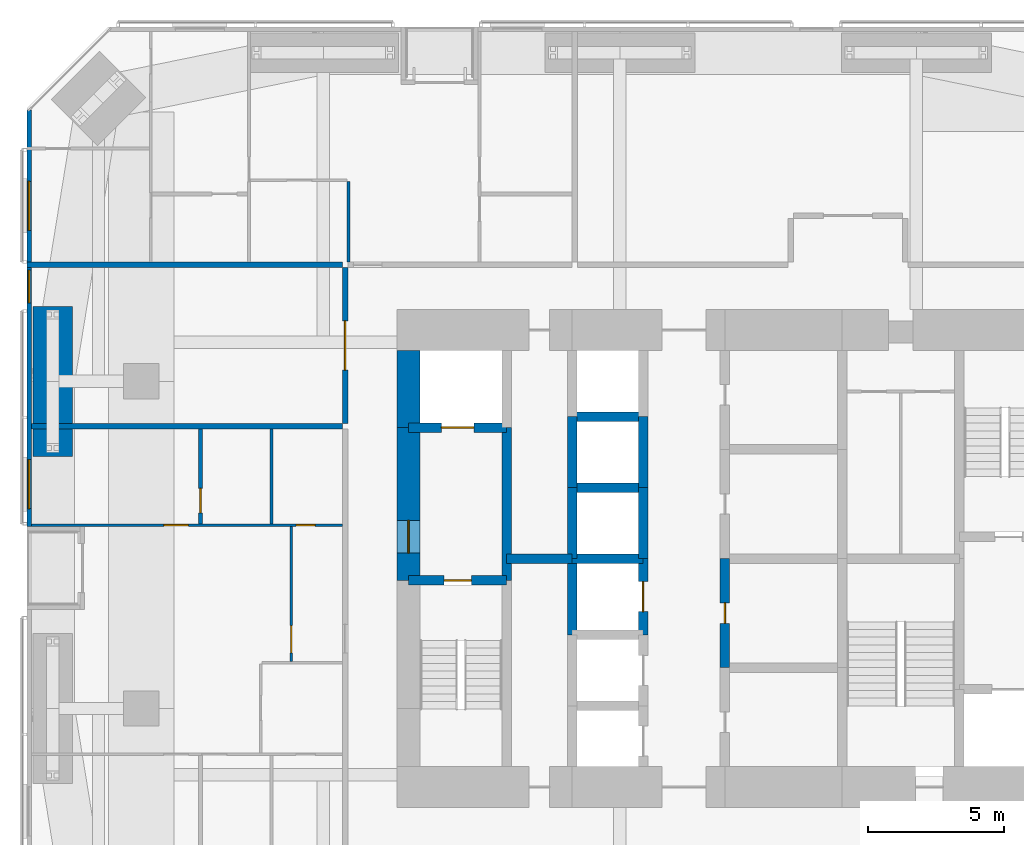
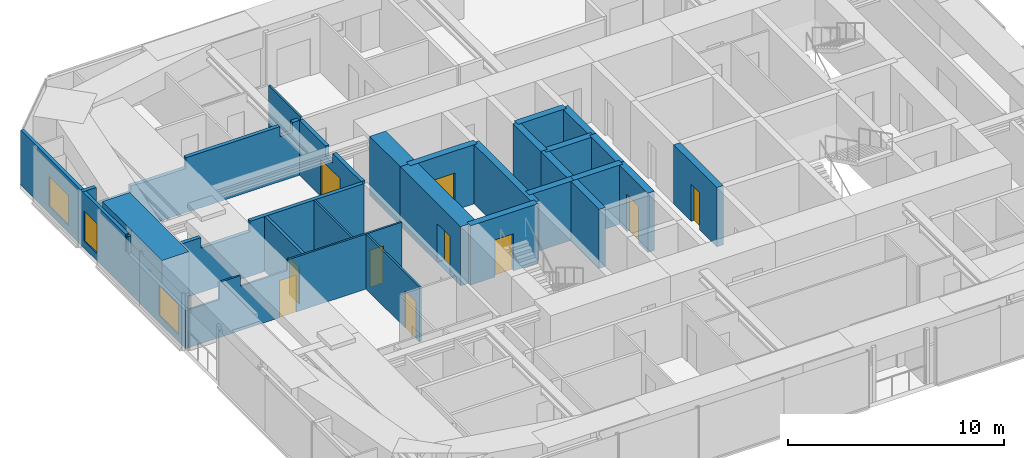
# One storey, part 19 of 24: 26 walls, 10 doors, 3 windows, 13 openings.
"""IFC4 building model written with IfcOpenShell, lengths in metres."""

import ifcopenshell
import ifcopenshell.guid

model = None  # the IFC model being written
_history = None  # IfcOwnerHistory: only IFC2X3 demands one
_inside = {}  # id of a spatial element -> (the spatial element, [elements in it])
_under = {}  # id of a project, library or spatial element -> (it, [spatial elements below it])
_declared = {}  # id of a project -> (the project, [libraries it declares])
_typed = {}  # id of a type object -> (the type object, [elements of that type])
_made_of = {}  # id of a material, layer set ... -> (it, [elements and type objects made of it])


def new_model(schema):
    """Start an empty IFC model of exactly this schema.

    Asked for "IFC4X3", IfcOpenShell would pick the latest addendum, in which some entities
    have other attributes; the version numbers below select the first issue.
    IFC2X3 requires an IfcOwnerHistory on every rooted entity: one is made here for all.
    """
    global model, _history
    if schema == "IFC4X3":
        model = ifcopenshell.file(schema_version=(4, 3, 0, 0))
    else:
        model = ifcopenshell.file(schema=schema)
    _inside.clear()
    _under.clear()
    _declared.clear()
    _typed.clear()
    _made_of.clear()
    _history = None
    if model.schema == "IFC2X3":
        org = make("IfcOrganization", Name="unknown")
        user = make(
            "IfcPersonAndOrganization",
            ThePerson=make("IfcPerson", FamilyName="unknown"),
            TheOrganization=org,
        )
        app = make(
            "IfcApplication",
            ApplicationDeveloper=org,
            Version="unknown",
            ApplicationFullName="unknown",
            ApplicationIdentifier="unknown",
        )
        _history = make(
            "IfcOwnerHistory",
            OwningUser=user,
            OwningApplication=app,
            ChangeAction="ADDED",
            CreationDate=0,
        )
    return model


def make(cls, **values):
    """One entity of the class cls with the attributes given. An attribute that is None is left unset."""
    return model.create_entity(
        cls, **{name: value for name, value in values.items() if value is not None}
    )


def rooted(cls, **values):
    """An entity with a GlobalId (a new one), such as an element, a storey or a relation."""
    return make(cls, GlobalId=ifcopenshell.guid.new(), OwnerHistory=_history, **values)


def si_unit(unit_type, name, prefix=None):
    """IfcSIUnit, for example si_unit("LENGTHUNIT", "METRE", prefix="MILLI")."""
    return make("IfcSIUnit", UnitType=unit_type, Prefix=prefix, Name=name)


def assignment(units):
    """IfcUnitAssignment: the units of a project."""
    return None if units is None else make("IfcUnitAssignment", Units=units)


def point(xyz):
    """IfcCartesianPoint."""
    return None if xyz is None else make("IfcCartesianPoint", Coordinates=xyz)


def direction(xyz):
    """IfcDirection."""
    return None if xyz is None else make("IfcDirection", DirectionRatios=xyz)


def frame(location, z_axis=None, x_axis=None):
    """IfcAxis2Placement3D, a coordinate frame: its origin and axes. An axis left out is left unset."""
    return make(
        "IfcAxis2Placement3D",
        Location=point(location),
        Axis=direction(z_axis),
        RefDirection=direction(x_axis),
    )


def frame_2d(location, x_axis=None):
    """IfcAxis2Placement2D, a coordinate frame in the plane: its origin and x axis."""
    return make(
        "IfcAxis2Placement2D", Location=point(location), RefDirection=direction(x_axis)
    )


def origin():
    """The frame at (0, 0, 0) with its axes left unset."""
    return frame((0.0, 0.0, 0.0))


def place(relative_to, where):
    """IfcLocalPlacement: puts the frame where relative to a parent placement (None: the world)."""
    return make(
        "IfcLocalPlacement", PlacementRelTo=relative_to, RelativePlacement=where
    )


def context(
    kind, dimensions, precision=None, world=None, true_north=None, identifier=None
):
    """IfcGeometricRepresentationContext, for example the 3D "Model" context."""
    return make(
        "IfcGeometricRepresentationContext",
        ContextIdentifier=identifier,
        ContextType=kind,
        CoordinateSpaceDimension=dimensions,
        Precision=precision,
        WorldCoordinateSystem=world,
        TrueNorth=true_north,
    )


def subcontext(parent, identifier, kind, view, scale=None):
    """IfcGeometricRepresentationSubContext, for example "Body" below "Model"."""
    return make(
        "IfcGeometricRepresentationSubContext",
        ContextIdentifier=identifier,
        ContextType=kind,
        ParentContext=parent,
        TargetScale=scale,
        TargetView=view,
    )


def project(units=None, contexts=None):
    """IfcProject with its units and contexts."""
    return rooted(
        "IfcProject",
        Name="project",
        RepresentationContexts=contexts,
        UnitsInContext=assignment(units),
    )


def spatial(cls, under=None, at=None, **own):
    """A site, building, storey or space (cls), placed at a placement, below another one or the project."""
    s = rooted(cls, ObjectPlacement=at, **own)
    if under is not None:
        _under.setdefault(under.id(), (under, []))[1].append(s)
    return s


def polyline(points):
    """IfcPolyline through the points."""
    return make("IfcPolyline", Points=[point(p) for p in points])


def profile(cls, at=None, kind="AREA", **sizes):
    """A parametric profile (cls). Its sizes go by their IFC names, for example OverallWidth=200.0."""
    return make(cls, ProfileType=kind, Position=at, **sizes)


def rectangle(**sizes):
    """IfcRectangleProfileDef."""
    return profile("IfcRectangleProfileDef", **sizes)


def outline(outer, holes=None, kind="AREA"):
    """IfcArbitraryClosedProfileDef: a profile drawn as a closed curve; with holes, ...WithVoids."""
    if holes is None:
        return make("IfcArbitraryClosedProfileDef", ProfileType=kind, OuterCurve=outer)
    return make(
        "IfcArbitraryProfileDefWithVoids",
        ProfileType=kind,
        OuterCurve=outer,
        InnerCurves=holes,
    )


def extrude(swept, where, along, depth):
    """IfcExtrudedAreaSolid: the profile swept, set in the frame where, extruded along a direction by depth."""
    return make(
        "IfcExtrudedAreaSolid",
        SweptArea=swept,
        Position=where,
        ExtrudedDirection=direction(along),
        Depth=depth,
    )


def shape(context_of_items, identifier, shape_type, items):
    """IfcShapeRepresentation: the items that make up one representation, for example the "Body"."""
    return make(
        "IfcShapeRepresentation",
        ContextOfItems=context_of_items,
        RepresentationIdentifier=identifier,
        RepresentationType=shape_type,
        Items=items,
    )


def material(Name=None, Category=None):
    """IfcMaterial."""
    return make("IfcMaterial", Name=Name, Category=Category)


def layer(
    of_material, thickness, ventilated=None, Name=None, Category=None, Priority=None
):
    """IfcMaterialLayer: one layer of a wall or slab, of a material (None: an air gap)."""
    return make(
        "IfcMaterialLayer",
        Material=of_material,
        LayerThickness=thickness,
        IsVentilated=ventilated,
        Name=Name,
        Category=Category,
        Priority=Priority,
    )


def layer_set(layers, Name=None):
    """IfcMaterialLayerSet."""
    return make("IfcMaterialLayerSet", MaterialLayers=layers, LayerSetName=Name)


def constituent(of_material, Name=None, Category=None, fraction=None):
    """IfcMaterialConstituent: one of the materials an element consists of."""
    return make(
        "IfcMaterialConstituent",
        Name=Name,
        Material=of_material,
        Fraction=fraction,
        Category=Category,
    )


def constituent_set(constituents=None, Name=None):
    """IfcMaterialConstituentSet."""
    return make(
        "IfcMaterialConstituentSet", Name=Name, MaterialConstituents=constituents
    )


def made_of(thing, what):
    """Note that an element or type object is made of a material, layer set ...; save() writes the relation."""
    if what is not None:
        _made_of.setdefault(what.id(), (what, []))[1].append(thing)
    return thing


def type_object(cls, material=None, **own):
    """A type object (cls), such as IfcWallType, which elements share."""
    return made_of(rooted(cls, **own), material)


def element(
    cls,
    number,
    at=None,
    inside=None,
    cuts=None,
    type_object=None,
    material=None,
    context=None,
    identifier="Body",
    shape_type=None,
    held_by="IfcProductDefinitionShape",
    body=None,
    shapes=None,
    **own,
):
    """One element of the class cls, such as IfcWall. Its Tag is "e" and its number.

    at: its placement. inside: the storey or other place that contains it. cuts: it is an
    opening in that element (IfcRelVoidsElement). A single representation is given by context,
    identifier, shape_type and body (its items); several are given by shapes. held_by: the class
    of the entity that holds the representations. save() writes the other relations.
    """
    e = rooted(cls, Tag="e%d" % number, ObjectPlacement=at, **own)
    if body is not None:
        shapes = [shape(context, identifier, shape_type, body)]
    if shapes is not None:
        e.Representation = make(held_by, Representations=shapes)
    if inside is not None:
        _inside.setdefault(inside.id(), (inside, []))[1].append(e)
    if cuts is not None:
        rooted(
            "IfcRelVoidsElement", RelatingBuildingElement=cuts, RelatedOpeningElement=e
        )
    if type_object is not None:
        _typed.setdefault(type_object.id(), (type_object, []))[1].append(e)
    return made_of(e, material)


def fill(opening, filler):
    """IfcRelFillsElement: the door or window that sits in an opening."""
    return rooted(
        "IfcRelFillsElement",
        RelatingOpeningElement=opening,
        RelatedBuildingElement=filler,
    )


def aggregate(whole, parts):
    """IfcRelAggregates: a whole, such as a stair, and the parts it consists of."""
    return rooted("IfcRelAggregates", RelatingObject=whole, RelatedObjects=parts)


def save(model, path):
    """Write the relations noted so far, then the file.

    IfcRelAggregates (storeys below a building ...), IfcRelContainedInSpatialStructure (elements
    in a storey), IfcRelDefinesByType, IfcRelAssociatesMaterial and IfcRelDeclares: one each for
    every whole, place, type object, material and project.
    """
    for whole, parts in _under.values():
        aggregate(whole, parts)
    for where, things in _inside.values():
        rooted(
            "IfcRelContainedInSpatialStructure",
            RelatedElements=things,
            RelatingStructure=where,
        )
    for kind, things in _typed.values():
        rooted("IfcRelDefinesByType", RelatedObjects=things, RelatingType=kind)
    for what, things in _made_of.values():
        rooted("IfcRelAssociatesMaterial", RelatedObjects=things, RelatingMaterial=what)
    for by, libraries in _declared.values():
        rooted("IfcRelDeclares", RelatingContext=by, RelatedDefinitions=libraries)
    model.write(path)


model = new_model("IFC4")

# Units and contexts
model_context = context("Model", 3, precision=1e-05, world=origin(), true_north=direction((0.0, 1.0)))
body_context = subcontext(model_context, "Body", "Model", "MODEL_VIEW")
ifc_project = project(units=[si_unit("LENGTHUNIT", "METRE"), si_unit("AREAUNIT", "SQUARE_METRE"), si_unit("VOLUMEUNIT", "CUBIC_METRE"), si_unit("PLANEANGLEUNIT", "RADIAN"), si_unit("MASSUNIT", "GRAM", prefix="KILO")], contexts=[model_context])

# Site, building, storey
site_placement = place(None, origin())
site = spatial("IfcSite", under=ifc_project, at=site_placement, CompositionType="ELEMENT")
building_placement = place(site_placement, origin())
building = spatial("IfcBuilding", under=site, at=building_placement, Name="Jalousie Tower", CompositionType="ELEMENT")
storey_placement = place(building_placement, frame((0.0, 0.0, 131.64990234375)))
storey = spatial("IfcBuildingStorey", under=building, at=storey_placement, Name="L36", CompositionType="ELEMENT", Elevation=131.64990234375)

# Wall, opening, door
ifc_material_1 = material(Name="Concrete block ASTM C90", Category="concrete")
ifc_constituent_1 = constituent(ifc_material_1, Name="Body")
ifc_material_2 = material(Name="Render")
ifc_constituent_2 = constituent(ifc_material_2, Name="Finish")
ifc_constituent_set_1 = constituent_set(constituents=[ifc_constituent_1, ifc_constituent_2])
wall_type_1 = type_object("IfcWallType", Name="BATHROOM WALL 150", PredefinedType="PLUMBINGWALL", material=ifc_constituent_set_1)
wall_1_placement = place(storey_placement, frame((12.375, 19.77490234375, 0.0), z_axis=(0.0, 0.0, 1.0), x_axis=(0.0, 1.0, 0.0)))
wall_1 = element("IfcWall", 1, at=wall_1_placement, inside=storey, type_object=wall_type_1, Name="Bathroom Wall 150 L36", PredefinedType="PLUMBINGWALL", context=body_context, shape_type="SweptSolid", body=[
    extrude(rectangle(XDim=3.47509765625, YDim=0.14990234375, at=frame_2d((1.737548828125, 0.0))), origin(), (0.0, 0.0, 1.0), 3.110107421875),
])
opening_1_placement = place(wall_1_placement, frame((0.39990234375, 0.0, 0.0)))
opening_1 = element("IfcOpeningElement", 2, at=opening_1_placement, cuts=wall_1, Name="Opening D3", PredefinedType="OPENING", context=body_context, shape_type="SweptSolid", body=[
    extrude(rectangle(XDim=0.89990234375, YDim=2.10009765625, at=frame_2d((0.449951171875, 1.050048828125))), frame((0.0, 0.0849609375, 0.0), z_axis=(0.0, -1.0, 0.0), x_axis=(1.0, 0.0, 0.0)), (0.0, 0.0, 1.0), 0.169921875),
])
ifc_material_3 = material(Name="Timber door", Category="wood")
door_type_1 = type_object("IfcDoorType", Name="BATHROOM DOOR 900", OperationType="SINGLE_SWING_LEFT", PredefinedType="DOOR", material=ifc_material_3)
door_1_placement = place(opening_1_placement, frame((0.89990234375, 0.0, 0.0), z_axis=(0.0, 0.0, 1.0), x_axis=(-1.0, 0.0, 0.0)))
door_1 = element("IfcDoor", 3, at=door_1_placement, inside=storey, type_object=door_type_1, Name="Apartment 3604 bedroom 2 bathroom door", OperationType="SINGLE_SWING_RIGHT", OverallHeight=2.10009765625, OverallWidth=0.89990234375, PredefinedType="DOOR", context=body_context, shape_type="SweptSolid", body=[
    extrude(rectangle(XDim=0.89990234375, YDim=2.10009765625, at=frame_2d((0.449951171875, 1.050048828125))), frame((0.0, 0.02490234375, 0.0), z_axis=(0.0, -1.0, 0.0), x_axis=(1.0, 0.0, 0.0)), (0.0, 0.0, 1.0), 0.050048828125),
])
fill(opening_1, door_1)

# Walls
ifc_material_4 = material(Name="Concrete f'c 120 MPa", Category="concrete")
ifc_layer_1 = layer(ifc_material_4, 0.35009765625)
ifc_layer_set_1 = layer_set([ifc_layer_1], Name="Concrete f'c 120 MPa")
wall_type_2 = type_object("IfcWallType", Name="CORE WALL 350", PredefinedType="SHEAR", material=ifc_layer_set_1)
wall_2_placement = place(storey_placement, frame((23.60009765625, 17.699951171875, 0.0), z_axis=(0.0, 0.0, 1.0), x_axis=(0.0, 1.0, 0.0)))
element("IfcWall", 4, at=wall_2_placement, inside=storey, type_object=wall_type_2, Name="Core wall X23.6B L36", PredefinedType="SHEAR", context=body_context, shape_type="SweptSolid", body=[
    extrude(rectangle(XDim=5.60009765625, YDim=0.35009765625, at=frame_2d((2.800048828125, 0.0))), origin(), (0.0, 0.0, 1.0), 3.35009765625),
])
wall_3_placement = place(storey_placement, frame((26.0, 15.699951171875, 0.0), z_axis=(0.0, 0.0, 1.0), x_axis=(0.0, 1.0, 0.0)))
element("IfcWall", 5, at=wall_3_placement, inside=storey, type_object=wall_type_2, Name="Core wall X26C L36", PredefinedType="SHEAR", context=body_context, shape_type="SweptSolid", body=[
    extrude(rectangle(XDim=2.800048828125, YDim=0.35009765625, at=frame_2d((1.39990234375, 0.0))), origin(), (0.0, 0.0, 1.0), 3.35009765625),
])
wall_4_placement = place(storey_placement, frame((26.0, 18.5, 0.0), z_axis=(0.0, 0.0, 1.0), x_axis=(0.0, 1.0, 0.0)))
element("IfcWall", 6, at=wall_4_placement, inside=storey, type_object=wall_type_2, Name="Core wall X26D L36", PredefinedType="SHEAR", context=body_context, shape_type="SweptSolid", body=[
    extrude(rectangle(XDim=2.60009765625, YDim=0.35009765625, at=frame_2d((1.300048828125, 0.0))), origin(), (0.0, 0.0, 1.0), 3.35009765625),
])
wall_5_placement = place(storey_placement, frame((26.0, 21.10009765625, 0.0), z_axis=(0.0, 0.0, 1.0), x_axis=(0.0, 1.0, 0.0)))
element("IfcWall", 7, at=wall_5_placement, inside=storey, type_object=wall_type_2, Name="Core wall X26E L36", PredefinedType="SHEAR", context=body_context, shape_type="SweptSolid", body=[
    extrude(rectangle(XDim=2.599853515625, YDim=0.35009765625, at=frame_2d((1.2998046875, 0.0))), origin(), (0.0, 0.0, 1.0), 3.35009765625),
])

# Wall, opening, door
wall_6_placement = place(storey_placement, frame((28.60009765625, 15.699951171875, 0.0), z_axis=(0.0, 0.0, 1.0), x_axis=(0.0, 1.0, 0.0)))
wall_6 = element("IfcWall", 8, at=wall_6_placement, inside=storey, type_object=wall_type_2, Name="Core wall X28.6C L36", PredefinedType="SHEAR", context=body_context, shape_type="SweptSolid", body=[
    extrude(rectangle(XDim=2.800048828125, YDim=0.35009765625, at=frame_2d((1.39990234375, 0.0))), origin(), (0.0, 0.0, 1.0), 3.35009765625),
])
opening_2_placement = place(wall_6_placement, frame((0.85009765625, 0.0, 0.0)))
opening_2 = element("IfcOpeningElement", 9, at=opening_2_placement, cuts=wall_6, Name="Opening LD1", PredefinedType="OPENING", context=body_context, shape_type="SweptSolid", body=[
    extrude(rectangle(XDim=1.10009765625, YDim=2.10009765625, at=frame_2d((0.550048828125, 1.050048828125))), frame((0.0, 0.18505859375, 0.0), z_axis=(0.0, -1.0, 0.0), x_axis=(1.0, 0.0, 0.0)), (0.0, 0.0, 1.0), 0.3701171875),
])
ifc_material_5 = material(Name="Steel lift landing door", Category="steel")
door_type_2 = type_object("IfcDoorType", Name="LIFT LANDING DOOR 1100", OperationType="SLIDING_TO_LEFT", PredefinedType="DOOR", material=ifc_material_5)
door_2_placement = place(opening_2_placement, origin())
door_2 = element("IfcDoor", 10, at=door_2_placement, inside=storey, type_object=door_type_2, Name="Lift P3 landing door", OperationType="SLIDING_TO_LEFT", OverallHeight=2.10009765625, OverallWidth=1.10009765625, PredefinedType="DOOR", context=body_context, shape_type="SweptSolid", body=[
    extrude(rectangle(XDim=1.10009765625, YDim=2.10009765625, at=frame_2d((0.550048828125, 1.050048828125))), frame((0.0, 0.02490234375, 0.0), z_axis=(0.0, -1.0, 0.0), x_axis=(1.0, 0.0, 0.0)), (0.0, 0.0, 1.0), 0.050048828125),
])
fill(opening_2, door_2)

# Walls
wall_7_placement = place(storey_placement, frame((28.60009765625, 18.5, 0.0), z_axis=(0.0, 0.0, 1.0), x_axis=(0.0, 1.0, 0.0)))
element("IfcWall", 11, at=wall_7_placement, inside=storey, type_object=wall_type_2, Name="Core wall X28.6D L36", PredefinedType="SHEAR", context=body_context, shape_type="SweptSolid", body=[
    extrude(rectangle(XDim=2.60009765625, YDim=0.35009765625, at=frame_2d((1.300048828125, 0.0))), origin(), (0.0, 0.0, 1.0), 3.35009765625),
])
wall_8_placement = place(storey_placement, frame((28.60009765625, 21.10009765625, 0.0), z_axis=(0.0, 0.0, 1.0), x_axis=(0.0, 1.0, 0.0)))
element("IfcWall", 12, at=wall_8_placement, inside=storey, type_object=wall_type_2, Name="Core wall X28.6E L36", PredefinedType="SHEAR", context=body_context, shape_type="SweptSolid", body=[
    extrude(rectangle(XDim=2.599853515625, YDim=0.35009765625, at=frame_2d((1.2998046875, 0.0))), origin(), (0.0, 0.0, 1.0), 3.35009765625),
])

# Wall, opening, door
wall_9_placement = place(storey_placement, frame((31.60009765625, 14.5, 0.0), z_axis=(0.0, 0.0, 1.0), x_axis=(0.0, 1.0, 0.0)))
wall_9 = element("IfcWall", 13, at=wall_9_placement, inside=storey, type_object=wall_type_2, Name="Core wall X31.6B L36", PredefinedType="SHEAR", context=body_context, shape_type="SweptSolid", body=[
    extrude(rectangle(XDim=4.0, YDim=0.35009765625, at=frame_2d((2.0, 0.0))), origin(), (0.0, 0.0, 1.0), 3.35009765625),
])
opening_3_placement = place(wall_9_placement, frame((1.625, 0.0, 0.0)))
opening_3 = element("IfcOpeningElement", 14, at=opening_3_placement, cuts=wall_9, Name="Opening D16", PredefinedType="OPENING", context=body_context, shape_type="SweptSolid", body=[
    extrude(rectangle(XDim=0.75, YDim=2.10009765625, at=frame_2d((0.375, 1.050048828125))), frame((0.0, 0.18505859375, 0.0), z_axis=(0.0, -1.0, 0.0), x_axis=(1.0, 0.0, 0.0)), (0.0, 0.0, 1.0), 0.3701171875),
])
ifc_material_6 = material(Name="Steel fire door", Category="steel")
door_type_3 = type_object("IfcDoorType", Name="RISER DOOR 750", OperationType="SINGLE_SWING_LEFT", PredefinedType="DOOR", material=ifc_material_6)
door_3_placement = place(opening_3_placement, frame((0.75, 0.0, 0.0), z_axis=(0.0, 0.0, 1.0), x_axis=(-1.0, 0.0, 0.0)))
door_3 = element("IfcDoor", 15, at=door_3_placement, inside=storey, type_object=door_type_3, Name="Electrical Room door", OperationType="SINGLE_SWING_RIGHT", OverallHeight=2.10009765625, OverallWidth=0.75, PredefinedType="DOOR", context=body_context, shape_type="SweptSolid", body=[
    extrude(rectangle(XDim=0.75, YDim=2.10009765625, at=frame_2d((0.375, 1.050048828125))), frame((0.0, 0.02490234375, 0.0), z_axis=(0.0, -1.0, 0.0), x_axis=(1.0, 0.0, 0.0)), (0.0, 0.0, 1.0), 0.050048828125),
])
fill(opening_3, door_3)

wall_10_placement = place(storey_placement, frame((20.0, 17.699951171875, 0.0), z_axis=(0.0, 0.0, 1.0), x_axis=(1.0, 0.0, 0.0)))
wall_10 = element("IfcWall", 16, at=wall_10_placement, inside=storey, type_object=wall_type_2, Name="Core wall Y20-17.7 L36", PredefinedType="SHEAR", context=body_context, shape_type="SweptSolid", body=[
    extrude(rectangle(XDim=3.60009765625, YDim=0.35009765625, at=frame_2d((1.800048828125, 0.0))), origin(), (0.0, 0.0, 1.0), 3.35009765625),
])
opening_4_placement = place(wall_10_placement, frame((1.300048828125, 0.0, 0.0)))
opening_4 = element("IfcOpeningElement", 17, at=opening_4_placement, cuts=wall_10, Name="Opening D10", PredefinedType="OPENING", context=body_context, shape_type="SweptSolid", body=[
    extrude(rectangle(XDim=1.0, YDim=2.10009765625, at=frame_2d((0.5, 1.050048828125))), frame((0.0, 0.18505859375, 0.0), z_axis=(0.0, -1.0, 0.0), x_axis=(1.0, 0.0, 0.0)), (0.0, 0.0, 1.0), 0.3701171875),
])
ifc_material_7 = material(Name="Steel fire door", Category="steel")
door_type_4 = type_object("IfcDoorType", Name="STAIR DOOR 1000", OperationType="SINGLE_SWING_LEFT", PredefinedType="DOOR", material=ifc_material_7)
door_4_placement = place(opening_4_placement, frame((1.0, 0.0, 0.0), z_axis=(0.0, 0.0, 1.0), x_axis=(-1.0, 0.0, 0.0)))
door_4 = element("IfcDoor", 18, at=door_4_placement, inside=storey, type_object=door_type_4, Name="Exit stair A door", OperationType="SINGLE_SWING_RIGHT", OverallHeight=2.10009765625, OverallWidth=1.0, PredefinedType="DOOR", context=body_context, shape_type="SweptSolid", body=[
    extrude(rectangle(XDim=1.0, YDim=2.10009765625, at=frame_2d((0.5, 1.050048828125))), frame((0.0, 0.02490234375, 0.0), z_axis=(0.0, -1.0, 0.0), x_axis=(1.0, 0.0, 0.0)), (0.0, 0.0, 1.0), 0.050048828125),
])
fill(opening_4, door_4)

wall_11_placement = place(storey_placement, frame((20.0, 23.300048828125, 0.0), z_axis=(0.0, 0.0, 1.0), x_axis=(1.0, 0.0, 0.0)))
wall_11 = element("IfcWall", 19, at=wall_11_placement, inside=storey, type_object=wall_type_2, Name="Core wall Y20-23.3 L36", PredefinedType="SHEAR", context=body_context, shape_type="SweptSolid", body=[
    extrude(rectangle(XDim=3.60009765625, YDim=0.35009765625, at=frame_2d((1.800048828125, 0.0))), origin(), (0.0, 0.0, 1.0), 3.35009765625),
])
opening_5_placement = place(wall_11_placement, frame((1.199951171875, 0.0, 0.0)))
opening_5 = element("IfcOpeningElement", 20, at=opening_5_placement, cuts=wall_11, Name="Opening LD2", PredefinedType="OPENING", context=body_context, shape_type="SweptSolid", body=[
    extrude(rectangle(XDim=1.199951171875, YDim=2.10009765625, at=frame_2d((0.60009765625, 1.050048828125))), frame((0.0, 0.18505859375, 0.0), z_axis=(0.0, -1.0, 0.0), x_axis=(1.0, 0.0, 0.0)), (0.0, 0.0, 1.0), 0.3701171875),
])
ifc_material_8 = material(Name="Steel lift landing door", Category="steel")
door_type_5 = type_object("IfcDoorType", Name="LIFT LANDING DOOR 1200", OperationType="SLIDING_TO_LEFT", PredefinedType="DOOR", material=ifc_material_8)
door_5_placement = place(opening_5_placement, origin())
door_5 = element("IfcDoor", 21, at=door_5_placement, inside=storey, type_object=door_type_5, Name="Lift F1 landing door", OperationType="SLIDING_TO_LEFT", OverallHeight=2.10009765625, OverallWidth=1.199951171875, PredefinedType="DOOR", context=body_context, shape_type="SweptSolid", body=[
    extrude(rectangle(XDim=1.199951171875, YDim=2.10009765625, at=frame_2d((0.60009765625, 1.050048828125))), frame((0.0, 0.02490234375, 0.0), z_axis=(0.0, -1.0, 0.0), x_axis=(1.0, 0.0, 0.0)), (0.0, 0.0, 1.0), 0.050048828125),
])
fill(opening_5, door_5)

# Walls
wall_12_placement = place(storey_placement, frame((23.60009765625, 18.5, 0.0), z_axis=(0.0, 0.0, 1.0), x_axis=(1.0, 0.0, 0.0)))
element("IfcWall", 22, at=wall_12_placement, inside=storey, type_object=wall_type_2, Name="Core wall Y23.6-18.5 L36", PredefinedType="SHEAR", context=body_context, shape_type="SweptSolid", body=[
    extrude(rectangle(XDim=2.39990234375, YDim=0.35009765625, at=frame_2d((1.199951171875, 0.0))), origin(), (0.0, 0.0, 1.0), 3.35009765625),
])
for number, where, z_axis, x_axis, name in (
    (23, (26.0, 18.5, 0.0), (0.0, 0.0, 1.0), (1.0, 0.0, 0.0), "Core wall Y26-18.5 L36"),
    (24, (26.0, 21.10009765625, 0.0), (0.0, 0.0, 1.0), (1.0, 0.0, 0.0), "Core wall Y26-21.1 L36"),
    (25, (26.0, 23.699951171875, 0.0), (0.0, 0.0, 1.0), (1.0, 0.0, 0.0), "Core wall Y26-23.7 L36"),
):
    element("IfcWall", number, at=place(storey_placement, frame(where, z_axis=z_axis, x_axis=x_axis)), inside=storey, type_object=wall_type_2, Name=name, PredefinedType="SHEAR", context=body_context, shape_type="SweptSolid", body=[
        extrude(rectangle(XDim=2.60009765625, YDim=0.35009765625, at=frame_2d((1.300048828125, 0.0))), origin(), (0.0, 0.0, 1.0), 3.35009765625),
    ])
ifc_material_9 = material(Name="Concrete f'c 120 MPa", Category="concrete")
ifc_layer_2 = layer(ifc_material_9, 0.85009765625)
ifc_layer_set_2 = layer_set([ifc_layer_2], Name="Concrete f'c 120 MPa")
wall_type_3 = type_object("IfcWallType", Name="CORE WALL 850", PredefinedType="SHEAR", material=ifc_layer_set_2)
wall_13_placement = place(storey_placement, frame((20.0, 26.125, 0.0), z_axis=(0.0, 0.0, 1.0), x_axis=(0.0, -1.0, 0.0)))
element("IfcWall", 26, at=wall_13_placement, inside=storey, type_object=wall_type_3, Name="Core wall WA L36", PredefinedType="SHEAR", context=body_context, shape_type="SweptSolid", body=[
    extrude(rectangle(XDim=2.824951171875, YDim=0.85009765625, at=frame_2d((1.41259765625, 0.0))), origin(), (0.0, 0.0, 1.0), 3.35009765625),
])

# Wall, opening, door
wall_14_placement = place(storey_placement, frame((20.0, 23.300048828125, 0.0), z_axis=(0.0, 0.0, 1.0), x_axis=(0.0, -1.0, 0.0)))
wall_14 = element("IfcWall", 27, at=wall_14_placement, inside=storey, type_object=wall_type_3, Name="Core wall WB L36", PredefinedType="SHEAR", context=body_context, shape_type="SweptSolid", body=[
    extrude(rectangle(XDim=5.60009765625, YDim=0.85009765625, at=frame_2d((2.800048828125, 0.0))), origin(), (0.0, 0.0, 1.0), 3.35009765625),
])
opening_6_placement = place(wall_14_placement, frame((3.39990234375, 0.0, 0.0)))
opening_6 = element("IfcOpeningElement", 28, at=opening_6_placement, cuts=wall_14, Name="Opening D11", PredefinedType="OPENING", context=body_context, shape_type="SweptSolid", body=[
    extrude(rectangle(XDim=1.199951171875, YDim=2.199951171875, at=frame_2d((0.60009765625, 1.10009765625))), frame((0.0, 0.43505859375, 0.0), z_axis=(0.0, -1.0, 0.0), x_axis=(1.0, 0.0, 0.0)), (0.0, 0.0, 1.0), 0.8701171875),
])
ifc_material_10 = material(Name="Steel fire door", Category="steel")
door_type_6 = type_object("IfcDoorType", Name="FIRE DOOR 1200", OperationType="SINGLE_SWING_LEFT", PredefinedType="DOOR", material=ifc_material_10)
door_6_placement = place(opening_6_placement, origin())
door_6 = element("IfcDoor", 29, at=door_6_placement, inside=storey, type_object=door_type_6, Name="Fire-fighting lobby A door", OperationType="SINGLE_SWING_RIGHT", OverallHeight=2.199951171875, OverallWidth=1.199951171875, PredefinedType="DOOR", context=body_context, shape_type="SweptSolid", body=[
    extrude(rectangle(XDim=1.199951171875, YDim=2.199951171875, at=frame_2d((0.60009765625, 1.10009765625))), frame((0.0, 0.02490234375, 0.0), z_axis=(0.0, -1.0, 0.0), x_axis=(1.0, 0.0, 0.0)), (0.0, 0.0, 1.0), 0.050048828125),
])
fill(opening_6, door_6)

ifc_material_11 = material(Name="Concrete block ASTM C90", Category="concrete")
ifc_constituent_3 = constituent(ifc_material_11, Name="Body")
ifc_material_12 = material(Name="Render")
ifc_constituent_4 = constituent(ifc_material_12, Name="Finish")
ifc_constituent_set_2 = constituent_set(constituents=[ifc_constituent_3, ifc_constituent_4])
wall_type_4 = type_object("IfcWallType", Name="CORRIDOR WALL 200", PredefinedType="PARTITIONING", material=ifc_constituent_set_2)
wall_15_placement = place(storey_placement, frame((17.675048828125, 23.449951171875, 0.0), z_axis=(0.0, 0.0, 1.0), x_axis=(0.0, 1.0, 0.0)))
wall_15 = element("IfcWall", 30, at=wall_15_placement, inside=storey, type_object=wall_type_4, Name="Corridor Wall 200 L36", PredefinedType="PARTITIONING", context=body_context, shape_type="SweptSolid", body=[
    extrude(outline(polyline([(0.0, 0.0), (5.72509765625, 0.0), (5.72509765625, 3.110107421875), (3.312255859375, 3.110107421875), (3.312255859375, 2.541015625), (2.6376953125, 2.541015625), (2.6376953125, 3.110107421875), (0.0, 3.110107421875), (0.0, 0.0)])), frame((0.0, 0.10009765625, 0.0), z_axis=(0.0, -1.0, 0.0), x_axis=(1.0, 0.0, 0.0)), (0.0, 0.0, 1.0), 0.199951171875),
])
opening_7_placement = place(wall_15_placement, frame((1.96240234375, 0.0, 0.0)))
opening_7 = element("IfcOpeningElement", 31, at=opening_7_placement, cuts=wall_15, Name="Opening D22", PredefinedType="OPENING", context=body_context, shape_type="SweptSolid", body=[
    extrude(rectangle(XDim=1.800048828125, YDim=2.10009765625, at=frame_2d((0.89990234375, 1.050048828125))), frame((0.0, 0.10986328125, 0.0), z_axis=(0.0, -1.0, 0.0), x_axis=(1.0, 0.0, 0.0)), (0.0, 0.0, 1.0), 0.219970703125),
])
ifc_material_13 = material(Name="Timber fire door", Category="wood")
door_type_7 = type_object("IfcDoorType", Name="CORRIDOR DOUBLE DOOR 1800", OperationType="DOUBLE_DOOR_SINGLE_SWING", PredefinedType="DOOR", material=ifc_material_13)
door_7_placement = place(opening_7_placement, origin())
door_7 = element("IfcDoor", 32, at=door_7_placement, inside=storey, type_object=door_type_7, Name="Residents' lounge door", OperationType="DOUBLE_DOOR_SINGLE_SWING", OverallHeight=2.10009765625, OverallWidth=1.800048828125, PredefinedType="DOOR", context=body_context, shape_type="SweptSolid", body=[
    extrude(rectangle(XDim=1.800048828125, YDim=2.10009765625, at=frame_2d((0.89990234375, 1.050048828125))), frame((0.0, 0.02490234375, 0.0), z_axis=(0.0, -1.0, 0.0), x_axis=(1.0, 0.0, 0.0)), (0.0, 0.0, 1.0), 0.050048828125),
])
fill(opening_7, door_7)

# Wall, openings, windows
ifc_material_14 = material(Name="Concrete f'c 40 MPa", Category="concrete")
ifc_constituent_5 = constituent(ifc_material_14, Name="Body")
ifc_material_15 = material(Name="Render, pastel sea green")
ifc_constituent_6 = constituent(ifc_material_15, Name="Finish")
ifc_constituent_set_3 = constituent_set(constituents=[ifc_constituent_5, ifc_constituent_6])
wall_type_5 = type_object("IfcWallType", Name="EXTERNAL WALL 175 SEA GREEN RENDER", PredefinedType="SOLIDWALL", material=ifc_constituent_set_3)
wall_16_placement = place(storey_placement, frame((6.08740234375, 34.94873046875, 0.0), z_axis=(0.0, 0.0, 1.0), x_axis=(0.0, -1.0, 0.0)))
wall_16 = element("IfcWall", 33, at=wall_16_placement, inside=storey, type_object=wall_type_5, Name="External Wall 175 Sea Green Render L36", PredefinedType="SOLIDWALL", context=body_context, shape_type="SweptSolid", body=[
    extrude(outline(polyline([(0.0, 0.0), (15.273681640625, 0.0), (15.273681640625, 2.150146484375), (9.94873046875, 2.150146484375), (9.94873046875, 3.110107421875), (9.822998046875, 3.110107421875), (9.822998046875, 2.150146484375), (9.72998046875, 2.150146484375), (9.72998046875, 3.110107421875), (0.0, 3.110107421875), (0.0, 0.0)])), frame((0.0, 0.08740234375, 0.0), z_axis=(0.0, -1.0, 0.0), x_axis=(1.0, 0.0, 0.0)), (0.0, 0.0, 1.0), 0.175048828125),
])
opening_8_placement = place(wall_16_placement, frame((2.6181640625, 0.0, 0.39990234375)))
opening_8 = element("IfcOpeningElement", 34, at=opening_8_placement, cuts=wall_16, Name="Opening W-BED170", PredefinedType="OPENING", context=body_context, shape_type="SweptSolid", body=[
    extrude(rectangle(XDim=1.800048828125, YDim=1.699951171875, at=frame_2d((0.89990234375, 0.85009765625))), frame((0.0, 0.097412109375, 0.0), z_axis=(0.0, -1.0, 0.0), x_axis=(1.0, 0.0, 0.0)), (0.0, 0.0, 1.0), 0.195068359375),
])
opening_9_placement = place(wall_16_placement, frame((5.8740234375, 0.0, 0.39990234375)))
opening_9 = element("IfcOpeningElement", 35, at=opening_9_placement, cuts=wall_16, Name="Opening W-COR170", PredefinedType="OPENING", context=body_context, shape_type="SweptSolid", body=[
    extrude(rectangle(XDim=1.199951171875, YDim=1.699951171875, at=frame_2d((0.60009765625, 0.85009765625))), frame((0.0, 0.097412109375, 0.0), z_axis=(0.0, -1.0, 0.0), x_axis=(1.0, 0.0, 0.0)), (0.0, 0.0, 1.0), 0.195068359375),
])
opening_10_placement = place(wall_16_placement, frame((12.818603515625, 0.0, 0.39990234375)))
opening_10 = element("IfcOpeningElement", 36, at=opening_10_placement, cuts=wall_16, Name="Opening W-BED170", PredefinedType="OPENING", context=body_context, shape_type="SweptSolid", body=[
    extrude(rectangle(XDim=1.800048828125, YDim=1.699951171875, at=frame_2d((0.89990234375, 0.85009765625))), frame((0.0, 0.097412109375, 0.0), z_axis=(0.0, -1.0, 0.0), x_axis=(1.0, 0.0, 0.0)), (0.0, 0.0, 1.0), 0.195068359375),
])
ifc_material_16 = material(Name="Aluminium frame, impact-rated glazing", Category="aluminium")
window_type_1 = type_object("IfcWindowType", Name="WINDOW BED 1800x1700", PartitioningType="SINGLE_PANEL", PredefinedType="WINDOW", material=ifc_material_16)
window_1_placement = place(opening_8_placement, origin())
window_1 = element("IfcWindow", 37, at=window_1_placement, inside=storey, type_object=window_type_1, Name="Apartment 3603 bedroom 1 window", OverallHeight=1.699951171875, OverallWidth=1.800048828125, PartitioningType="SINGLE_PANEL", PredefinedType="WINDOW", context=body_context, shape_type="SweptSolid", body=[
    extrude(rectangle(XDim=1.800048828125, YDim=1.699951171875, at=frame_2d((0.89990234375, 0.85009765625))), frame((0.0, 0.030029296875, 0.0), z_axis=(0.0, -1.0, 0.0), x_axis=(1.0, 0.0, 0.0)), (0.0, 0.0, 1.0), 0.06005859375),
])
fill(opening_8, window_1)
window_2_placement = place(opening_10_placement, origin())
window_2 = element("IfcWindow", 38, at=window_2_placement, inside=storey, type_object=window_type_1, Name="Apartment 3604 bedroom 2 window", OverallHeight=1.699951171875, OverallWidth=1.800048828125, PartitioningType="SINGLE_PANEL", PredefinedType="WINDOW", context=body_context, shape_type="SweptSolid", body=[
    extrude(rectangle(XDim=1.800048828125, YDim=1.699951171875, at=frame_2d((0.89990234375, 0.85009765625))), frame((0.0, 0.030029296875, 0.0), z_axis=(0.0, -1.0, 0.0), x_axis=(1.0, 0.0, 0.0)), (0.0, 0.0, 1.0), 0.06005859375),
])
fill(opening_10, window_2)
ifc_material_17 = material(Name="Aluminium frame, impact-rated glazing", Category="aluminium")
window_type_2 = type_object("IfcWindowType", Name="WINDOW COR 1200x1700", PartitioningType="SINGLE_PANEL", PredefinedType="WINDOW", material=ifc_material_17)
window_3_placement = place(opening_9_placement, origin())
window_3 = element("IfcWindow", 39, at=window_3_placement, inside=storey, type_object=window_type_2, Name="Residents' lounge window", OverallHeight=1.699951171875, OverallWidth=1.199951171875, PartitioningType="SINGLE_PANEL", PredefinedType="WINDOW", context=body_context, shape_type="SweptSolid", body=[
    extrude(rectangle(XDim=1.199951171875, YDim=1.699951171875, at=frame_2d((0.60009765625, 0.85009765625))), frame((0.0, 0.030029296875, 0.0), z_axis=(0.0, -1.0, 0.0), x_axis=(1.0, 0.0, 0.0)), (0.0, 0.0, 1.0), 0.06005859375),
])
fill(opening_9, window_3)

# Wall
ifc_material_18 = material(Name="Gypsum board", Category="gypsum")
ifc_constituent_7 = constituent(ifc_material_18, Name="Body")
ifc_material_19 = material(Name="Light-gauge steel studs ASTM A653 SS Grade 33", Category="steel")
ifc_constituent_8 = constituent(ifc_material_19, Name="Framing")
ifc_constituent_set_4 = constituent_set(constituents=[ifc_constituent_7, ifc_constituent_8])
wall_type_6 = type_object("IfcWallType", Name="PARTITION 100", PredefinedType="PARTITIONING", material=ifc_constituent_set_4)
wall_17_placement = place(storey_placement, frame((17.800048828125, 32.324951171875, 0.0), z_axis=(0.0, 0.0, 1.0), x_axis=(0.0, -1.0, 0.0)))
element("IfcWall", 40, at=wall_17_placement, inside=storey, type_object=wall_type_6, Name="Partition 100 L36", PredefinedType="PARTITIONING", context=body_context, shape_type="SweptSolid", body=[
    extrude(rectangle(XDim=2.949951171875, YDim=0.10009765625, at=frame_2d((1.47509765625, 0.0))), origin(), (0.0, 0.0, 1.0), 3.110107421875),
])

# Wall, openings, doors
wall_18_placement = place(storey_placement, frame((6.175048828125, 19.72509765625, 0.0), z_axis=(0.0, 0.0, 1.0), x_axis=(1.0, 0.0, 0.0)))
wall_18 = element("IfcWall", 41, at=wall_18_placement, inside=storey, type_object=wall_type_6, Name="Partition 100 L36", PredefinedType="PARTITIONING", context=body_context, shape_type="SweptSolid", body=[
    extrude(outline(polyline([(0.0, 0.0), (11.39990234375, 0.0), (11.39990234375, 3.110107421875), (5.284912109375, 3.110107421875), (5.284912109375, 2.510009765625), (2.764892578125, 2.510009765625), (2.764892578125, 3.110107421875), (1.635009765625, 3.110107421875), (1.635009765625, 2.150146484375), (0.0, 2.150146484375), (0.0, 3.110107421875), (0.0, 0.0)])), frame((0.0, 0.050048828125, 0.0), z_axis=(0.0, -1.0, 0.0), x_axis=(1.0, 0.0, 0.0)), (0.0, 0.0, 1.0), 0.10009765625),
])
opening_11_placement = place(wall_18_placement, frame((4.85009765625, 0.0, 0.0)))
opening_11 = element("IfcOpeningElement", 42, at=opening_11_placement, cuts=wall_18, Name="Opening D2", PredefinedType="OPENING", context=body_context, shape_type="SweptSolid", body=[
    extrude(rectangle(XDim=0.89990234375, YDim=2.10009765625, at=frame_2d((0.449951171875, 1.050048828125))), frame((0.0, 0.06005859375, 0.0), z_axis=(0.0, -1.0, 0.0), x_axis=(1.0, 0.0, 0.0)), (0.0, 0.0, 1.0), 0.1201171875),
])
opening_12_placement = place(wall_18_placement, frame((9.699951171875, 0.0, 0.0)))
opening_12 = element("IfcOpeningElement", 43, at=opening_12_placement, cuts=wall_18, Name="Opening D4", PredefinedType="OPENING", context=body_context, shape_type="SweptSolid", body=[
    extrude(rectangle(XDim=0.699951171875, YDim=2.10009765625, at=frame_2d((0.35009765625, 1.050048828125))), frame((0.0, 0.06005859375, 0.0), z_axis=(0.0, -1.0, 0.0), x_axis=(1.0, 0.0, 0.0)), (0.0, 0.0, 1.0), 0.1201171875),
])
ifc_material_20 = material(Name="Timber door", Category="wood")
door_type_8 = type_object("IfcDoorType", Name="BEDROOM DOOR 900", OperationType="SINGLE_SWING_LEFT", PredefinedType="DOOR", material=ifc_material_20)
door_8_placement = place(opening_11_placement, origin())
door_8 = element("IfcDoor", 44, at=door_8_placement, inside=storey, type_object=door_type_8, Name="Apartment 3604 bedroom 2 door", OperationType="SINGLE_SWING_RIGHT", OverallHeight=2.10009765625, OverallWidth=0.89990234375, PredefinedType="DOOR", context=body_context, shape_type="SweptSolid", body=[
    extrude(rectangle(XDim=0.89990234375, YDim=2.10009765625, at=frame_2d((0.449951171875, 1.050048828125))), frame((0.0, 0.02490234375, 0.0), z_axis=(0.0, -1.0, 0.0), x_axis=(1.0, 0.0, 0.0)), (0.0, 0.0, 1.0), 0.050048828125),
])
fill(opening_11, door_8)
ifc_material_21 = material(Name="Timber door", Category="wood")
door_type_9 = type_object("IfcDoorType", Name="STORE DOOR 700", OperationType="SINGLE_SWING_LEFT", PredefinedType="DOOR", material=ifc_material_21)
door_9_placement = place(opening_12_placement, origin())
door_9 = element("IfcDoor", 45, at=door_9_placement, inside=storey, type_object=door_type_9, Name="Apartment 3604 store door", OperationType="SINGLE_SWING_LEFT", OverallHeight=2.10009765625, OverallWidth=0.699951171875, PredefinedType="DOOR", context=body_context, shape_type="SweptSolid", body=[
    extrude(rectangle(XDim=0.699951171875, YDim=2.10009765625, at=frame_2d((0.35009765625, 1.050048828125))), frame((0.0, 0.02490234375, 0.0), z_axis=(0.0, -1.0, 0.0), x_axis=(1.0, 0.0, 0.0)), (0.0, 0.0, 1.0), 0.050048828125),
])
fill(opening_12, door_9)

# Wall
wall_19_placement = place(storey_placement, frame((14.97509765625, 19.77490234375, 0.0), z_axis=(0.0, 0.0, 1.0), x_axis=(0.0, 1.0, 0.0)))
element("IfcWall", 46, at=wall_19_placement, inside=storey, type_object=wall_type_6, Name="Partition 100 L36", PredefinedType="PARTITIONING", context=body_context, shape_type="SweptSolid", body=[
    extrude(rectangle(XDim=3.47509765625, YDim=0.10009765625, at=frame_2d((1.737548828125, 0.0))), origin(), (0.0, 0.0, 1.0), 3.110107421875),
])

# Wall, opening, door
wall_20_placement = place(storey_placement, frame((15.699951171875, 14.72509765625, 0.0), z_axis=(0.0, 0.0, 1.0), x_axis=(0.0, 1.0, 0.0)))
wall_20 = element("IfcWall", 47, at=wall_20_placement, inside=storey, type_object=wall_type_6, Name="Partition 100 L36", PredefinedType="PARTITIONING", context=body_context, shape_type="SweptSolid", body=[
    extrude(rectangle(XDim=4.949951171875, YDim=0.10009765625, at=frame_2d((2.47509765625, 0.0))), origin(), (0.0, 0.0, 1.0), 3.110107421875),
])
opening_13_placement = place(wall_20_placement, frame((0.3125, 0.0, 0.0)))
opening_13 = element("IfcOpeningElement", 48, at=opening_13_placement, cuts=wall_20, Name="Opening D6", PredefinedType="OPENING", context=body_context, shape_type="SweptSolid", body=[
    extrude(rectangle(XDim=1.0, YDim=2.10009765625, at=frame_2d((0.5, 1.050048828125))), frame((0.0, 0.06005859375, 0.0), z_axis=(0.0, -1.0, 0.0), x_axis=(1.0, 0.0, 0.0)), (0.0, 0.0, 1.0), 0.1201171875),
])
ifc_material_22 = material(Name="Timber door", Category="wood")
door_type_10 = type_object("IfcDoorType", Name="INTERNAL DOOR 1000", OperationType="SINGLE_SWING_LEFT", PredefinedType="DOOR", material=ifc_material_22)
door_10_placement = place(opening_13_placement, origin())
door_10 = element("IfcDoor", 49, at=door_10_placement, inside=storey, type_object=door_type_10, Name="Apartment 3604 hall door", OperationType="SINGLE_SWING_LEFT", OverallHeight=2.10009765625, OverallWidth=1.0, PredefinedType="DOOR", context=body_context, shape_type="SweptSolid", body=[
    extrude(rectangle(XDim=1.0, YDim=2.10009765625, at=frame_2d((0.5, 1.050048828125))), frame((0.0, 0.02490234375, 0.0), z_axis=(0.0, -1.0, 0.0), x_axis=(1.0, 0.0, 0.0)), (0.0, 0.0, 1.0), 0.050048828125),
])
fill(opening_13, door_10)

# Walls
ifc_material_23 = material(Name="Concrete block ASTM C90", Category="concrete")
ifc_constituent_9 = constituent(ifc_material_23, Name="Body")
ifc_material_24 = material(Name="Render")
ifc_constituent_10 = constituent(ifc_material_24, Name="Finish")
ifc_constituent_set_5 = constituent_set(constituents=[ifc_constituent_9, ifc_constituent_10])
wall_type_7 = type_object("IfcWallType", Name="PARTY WALL 200", PredefinedType="PARTITIONING", material=ifc_constituent_set_5)
wall_21_placement = place(storey_placement, frame((6.0, 29.27490234375, 0.0), z_axis=(0.0, 0.0, 1.0), x_axis=(1.0, 0.0, 0.0)))
element("IfcWall", 50, at=wall_21_placement, inside=storey, type_object=wall_type_7, Name="Party Wall 200 L36", PredefinedType="PARTITIONING", context=body_context, shape_type="SweptSolid", body=[
    extrude(outline(polyline([(0.0, 0.0), (11.574951171875, 0.0), (11.574951171875, 3.110107421875), (11.21240234375, 3.110107421875), (11.21240234375, 2.541015625), (10.53759765625, 2.541015625), (10.53759765625, 3.110107421875), (5.510009765625, 3.110107421875), (5.510009765625, 2.510009765625), (2.96875, 2.510009765625), (2.96875, 2.541015625), (2.565185546875, 2.541015625), (2.565185546875, 2.150146484375), (0.721435546875, 2.150146484375), (0.721435546875, 3.110107421875), (0.0, 3.110107421875), (0.0, 0.0)])), frame((0.0, 0.10009765625, 0.0), z_axis=(0.0, -1.0, 0.0), x_axis=(1.0, 0.0, 0.0)), (0.0, 0.0, 1.0), 0.199951171875),
])
wall_22_placement = place(storey_placement, frame((6.175048828125, 23.35009765625, 0.0), z_axis=(0.0, 0.0, 1.0), x_axis=(1.0, 0.0, 0.0)))
element("IfcWall", 51, at=wall_22_placement, inside=storey, type_object=wall_type_7, Name="Party Wall 200 L36", PredefinedType="PARTITIONING", context=body_context, shape_type="SweptSolid", body=[
    extrude(outline(polyline([(0.52880859375, 2.150146484375), (0.0, 2.150146484375), (0.0, 0.0), (0.52880859375, 0.0), (0.52880859375, 0.376220703125), (1.021240234375, 0.376220703125), (1.021240234375, 0.0), (11.39990234375, 0.0), (11.39990234375, 3.110107421875), (5.3349609375, 3.110107421875), (5.3349609375, 2.510009765625), (2.715087890625, 2.510009765625), (2.715087890625, 3.110107421875), (1.68505859375, 3.110107421875), (1.68505859375, 2.150146484375), (1.021240234375, 2.150146484375), (1.021240234375, 1.77392578125), (0.52880859375, 1.77392578125), (0.52880859375, 2.150146484375)])), frame((0.0, 0.10009765625, 0.0), z_axis=(0.0, -1.0, 0.0), x_axis=(1.0, 0.0, 0.0)), (0.0, 0.0, 1.0), 0.199951171875),
])
ifc_material_25 = material(Name="Concrete f'c 120 MPa", Category="concrete")
ifc_layer_3 = layer(ifc_material_25, 1.449951171875)
ifc_layer_set_3 = layer_set([ifc_layer_3], Name="Concrete f'c 120 MPa")
wall_type_8 = type_object("IfcWallType", Name="RC WALL PIER 1450", PredefinedType="SHEAR", material=ifc_layer_set_3)
wall_23_placement = place(storey_placement, frame((6.949951171875, 22.25, 0.0), z_axis=(0.0, 0.0, 1.0), x_axis=(0.0, 1.0, 0.0)))
element("IfcWall", 52, at=wall_23_placement, inside=storey, type_object=wall_type_8, Name="Wall pier 13 L36", PredefinedType="SHEAR", context=body_context, shape_type="SweptSolid", body=[
    extrude(rectangle(XDim=5.5, YDim=1.449951171875, at=frame_2d((2.75, 0.0))), origin(), (0.0, 0.0, 1.0), 3.35009765625),
])

save(model, "model.ifc")
